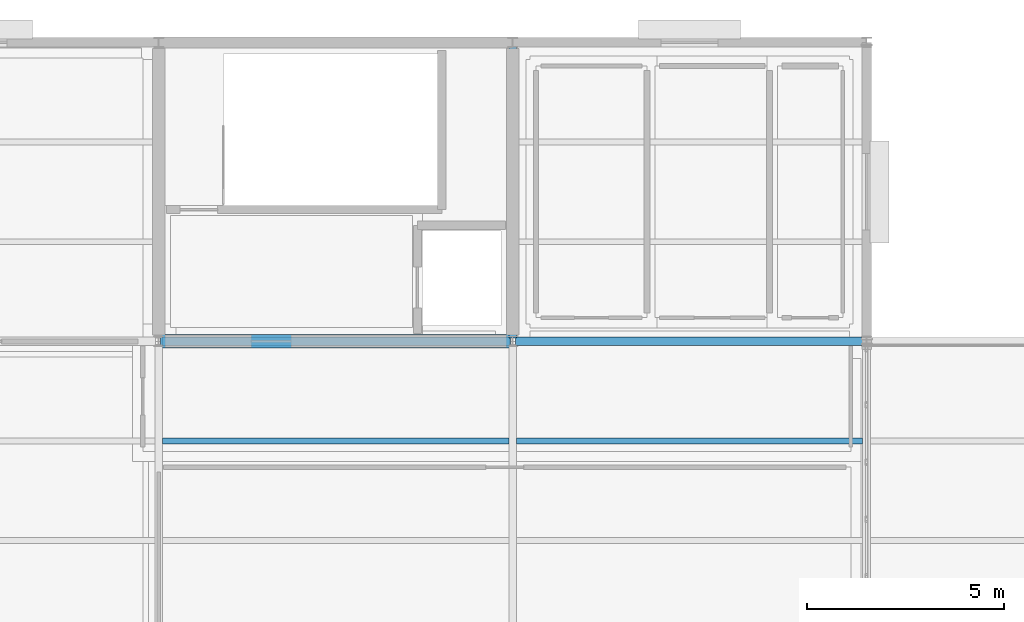
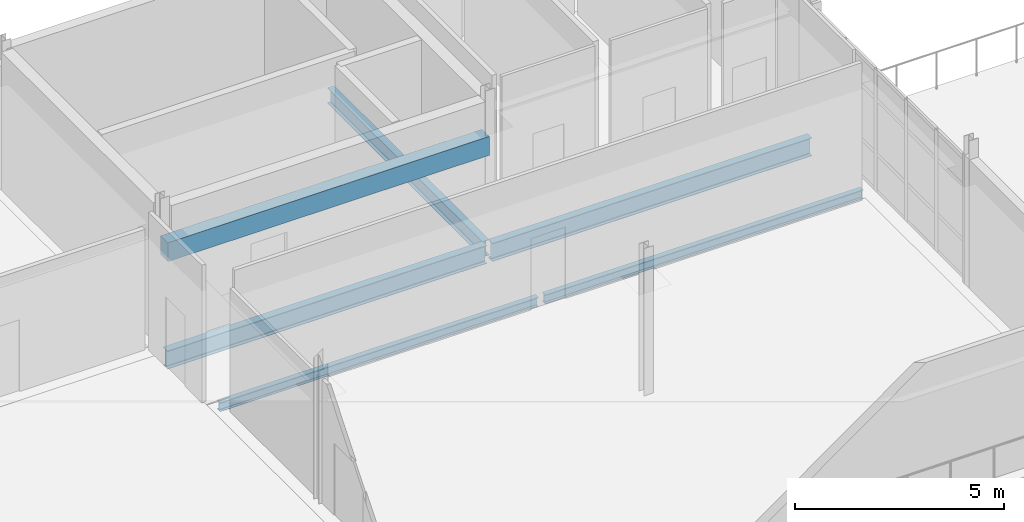
# One storey, part 29 of 48: 6 beams.
"""IFC4 building model written with IfcOpenShell, lengths in metres."""

from ifc_helpers import new_model, si_unit, direction, frame, origin, origin_2d, place, context, subcontext, project, spatial, rectangle, i_section, extrude, material, material_profile, profile_set, type_object, element, save


model = new_model("IFC4")

# Units and contexts
model_context = context("Model", 3, precision=1e-05, world=origin(), true_north=direction((0.0, 1.0)))
body_context = subcontext(model_context, "Body", "Model", "MODEL_VIEW")
ifc_project = project(units=[si_unit("LENGTHUNIT", "METRE"), si_unit("AREAUNIT", "SQUARE_METRE"), si_unit("VOLUMEUNIT", "CUBIC_METRE"), si_unit("PLANEANGLEUNIT", "RADIAN"), si_unit("MASSUNIT", "GRAM", prefix="KILO")], contexts=[model_context])

# Site, building, storey
site_placement = place(None, origin())
site = spatial("IfcSite", under=ifc_project, at=site_placement, CompositionType="ELEMENT")
building_placement = place(site_placement, origin())
building = spatial("IfcBuilding", under=site, at=building_placement, Name="Caisbarro Railhouse Central Library", CompositionType="ELEMENT")
storey_placement = place(building_placement, frame((0.0, 0.0, 18.0)))
storey = spatial("IfcBuildingStorey", under=building, at=storey_placement, Name="L04", CompositionType="ELEMENT", Elevation=18.0)

# Beams
ifc_material_1 = material(Name="Steel ASTM A572 Grade 50", Category="steel")
ifc_material_profile_1 = material_profile(ifc_material_1, i_section(OverallWidth=0.208984375, OverallDepth=0.532958984375, WebThickness=0.01025390625, FlangeThickness=0.015625, FilletRadius=0.02001953125, at=origin_2d()), Name="W530X92.0")
ifc_profile_set_1 = profile_set([ifc_material_profile_1], Name="Steel ASTM A572 Grade 50")
beam_type_1 = type_object("IfcBeamType", Name="BM-G06", PredefinedType="BEAM", material=ifc_profile_set_1)
for number, where, z_axis, x_axis, name in (
    (1, (126.080078125, 106.39990234375, -0.486572265625), (1.0, 0.0, 0.0), (0.0, 1.0, 0.0), "G06 beam L04 #2089"),
    (2, (135.080078125, 106.39990234375, -0.486572265625), (1.0, 0.0, 0.0), (0.0, 1.0, 0.0), "G06 beam L04 #2090"),
):
    element("IfcBeam", number, at=place(storey_placement, frame(where, z_axis=z_axis, x_axis=x_axis)), inside=storey, type_object=beam_type_1, Name=name, PredefinedType="BEAM", context=body_context, shape_type="SweptSolid", body=[
        extrude(i_section(OverallWidth=0.208984375, OverallDepth=0.532958984375, WebThickness=0.01025390625, FlangeThickness=0.015625, FilletRadius=0.02001953125, at=origin_2d()), origin(), (0.0, 0.0, 1.0), 8.83984375),
    ])
ifc_material_profile_2 = material_profile(ifc_material_1, i_section(OverallWidth=0.18994140625, OverallDepth=0.45703125, WebThickness=0.009033203125, FlangeThickness=0.014404296875, FilletRadius=0.01806640625, at=origin_2d()), Name="W460X74.0")
ifc_profile_set_2 = profile_set([ifc_material_profile_2], Name="Steel ASTM A572 Grade 50")
beam_type_2 = type_object("IfcBeamType", Name="BM-G08", PredefinedType="BEAM", material=ifc_profile_set_2)
beam_1_placement = place(storey_placement, frame((135.0, 106.47998046875, -0.448486328125), z_axis=(0.0, 1.0, 0.0), x_axis=(-1.0, 0.0, 0.0)))
element("IfcBeam", 3, at=beam_1_placement, inside=storey, type_object=beam_type_2, Name="G08 beam L04 #2109", PredefinedType="BEAM", context=body_context, shape_type="SweptSolid", body=[
    extrude(i_section(OverallWidth=0.18994140625, OverallDepth=0.45703125, WebThickness=0.009033203125, FlangeThickness=0.014404296875, FilletRadius=0.01806640625, at=origin_2d()), origin(), (0.0, 0.0, 1.0), 7.43994140625),
])
ifc_material_profile_3 = material_profile(ifc_material_1, i_section(OverallWidth=0.14794921875, OverallDepth=0.26611328125, WebThickness=0.007568359375, FlangeThickness=0.012939453125, FilletRadius=0.010009765625, at=origin_2d()), Name="W250X44.8")
ifc_profile_set_3 = profile_set([ifc_material_profile_3], Name="Steel ASTM A572 Grade 50")
beam_type_3 = type_object("IfcBeamType", Name="BM-J04", PredefinedType="JOIST", material=ifc_profile_set_3)
beam_2_placement = place(storey_placement, frame((126.094970703125, 103.86669921875, -0.35302734375), z_axis=(1.0, 0.0, 0.0), x_axis=(0.0, 1.0, 0.0)))
element("IfcBeam", 4, at=beam_2_placement, inside=storey, type_object=beam_type_3, Name="J04 beam L04 #2133", PredefinedType="JOIST", context=body_context, shape_type="SweptSolid", body=[
    extrude(i_section(OverallWidth=0.14794921875, OverallDepth=0.26611328125, WebThickness=0.007568359375, FlangeThickness=0.012939453125, FilletRadius=0.010009765625, at=origin_2d()), origin(), (0.0, 0.0, 1.0), 8.81005859375),
])
beam_3_placement = place(storey_placement, frame((135.094970703125, 103.86669921875, -0.35302734375), z_axis=(1.0, 0.0, 0.0), x_axis=(0.0, 1.0, 0.0)))
element("IfcBeam", 5, at=beam_3_placement, inside=storey, type_object=beam_type_3, Name="J04 beam L04 #2137", PredefinedType="JOIST", context=body_context, shape_type="SweptSolid", body=[
    extrude(i_section(OverallWidth=0.14794921875, OverallDepth=0.26611328125, WebThickness=0.007568359375, FlangeThickness=0.012939453125, FilletRadius=0.010009765625, at=origin_2d()), origin(), (0.0, 0.0, 1.0), 8.804931640625),
])
ifc_material_2 = material(Name="Concrete C40", Category="concrete")
ifc_material_profile_4 = material_profile(ifc_material_2, rectangle(XDim=0.35009765625, YDim=0.550048828125, at=origin_2d()), Name="RC-LIN-350X550")
ifc_profile_set_4 = profile_set([ifc_material_profile_4], Name="Concrete C40")
beam_type_4 = type_object("IfcBeamType", Name="BM-LN04", PredefinedType="LINTEL", material=ifc_profile_set_4)
beam_4_placement = place(storey_placement, frame((126.050048828125, 106.39990234375, 2.72509765625), z_axis=(1.0, 0.0, 0.0), x_axis=(0.0, 1.0, 0.0)))
element("IfcBeam", 6, at=beam_4_placement, inside=storey, type_object=beam_type_4, Name="LN04 RC core coupling lintel K3 L04", PredefinedType="LINTEL", context=body_context, shape_type="SweptSolid", body=[
    extrude(rectangle(XDim=0.35009765625, YDim=0.550048828125, at=origin_2d()), origin(), (0.0, 0.0, 1.0), 8.89990234375),
])

save(model, "model.ifc")
